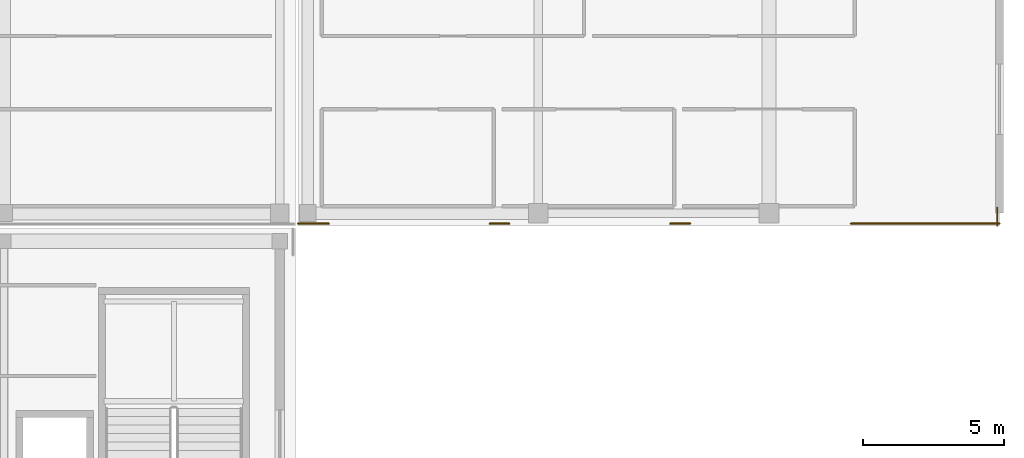
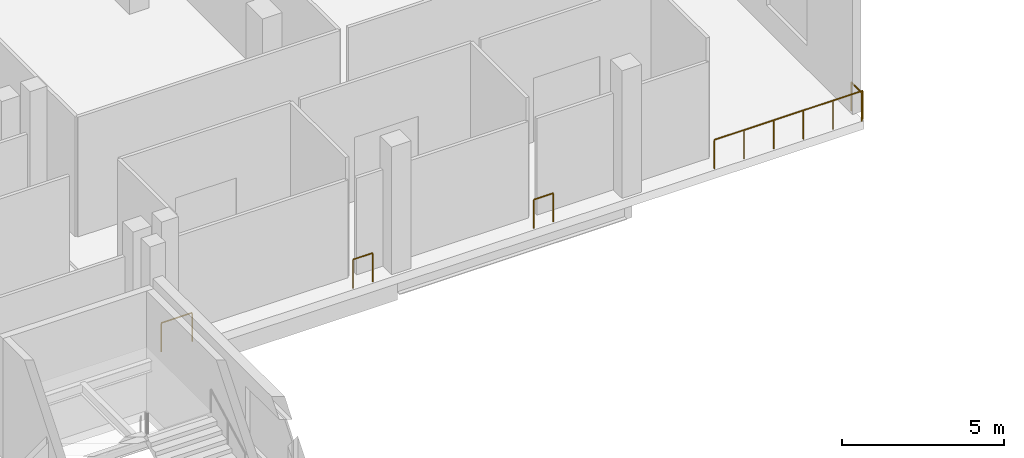
# One storey, part 123 of 129: 5 railings.
"""IFC4 building model written with IfcOpenShell, lengths in metres."""

from ifc_helpers import new_model, si_unit, direction, frame, origin, origin_2d, place, context, subcontext, project, spatial, circle, extrude, material, type_object, element, save


model = new_model("IFC4")

# Units and contexts
model_context = context("Model", 3, precision=1e-05, world=origin(), true_north=direction((0.0, 1.0)))
body_context = subcontext(model_context, "Body", "Model", "MODEL_VIEW")
ifc_project = project(units=[si_unit("LENGTHUNIT", "METRE"), si_unit("AREAUNIT", "SQUARE_METRE"), si_unit("VOLUMEUNIT", "CUBIC_METRE"), si_unit("PLANEANGLEUNIT", "RADIAN"), si_unit("MASSUNIT", "GRAM", prefix="KILO")], contexts=[model_context])

# Site, building, storey
site_placement = place(None, origin())
site = spatial("IfcSite", under=ifc_project, at=site_placement, CompositionType="ELEMENT")
building_placement = place(site_placement, origin())
building = spatial("IfcBuilding", under=site, at=building_placement, Name="Koshinbarg Plaza Stadium", CompositionType="ELEMENT")
storey_placement = place(building_placement, frame((0.0, 0.0, 5.39990234375)))
storey = spatial("IfcBuildingStorey", under=building, at=storey_placement, Name="L01", CompositionType="ELEMENT", Elevation=5.39990234375)

# Railings
ifc_material = material(Name="Toughened laminated glass and stainless steel sightline balustrade", Category="steel")
railing_type = type_object("IfcRailingType", Name="RL-BOWL-1100", PredefinedType="BALUSTRADE", material=ifc_material)
railing_1_placement = place(storey_placement, frame((243.919921875, 127.693115234375, 0.0)))
element("IfcRailing", 1, at=railing_1_placement, inside=storey, type_object=railing_type, Name="L01 deck edge safety balustrade 0057", PredefinedType="BALUSTRADE", context=body_context, shape_type="SweptSolid", body=[
    extrude(circle(Radius=0.02392578125, at=origin_2d()), frame((0.0, 0.0, 1.076171875), z_axis=(0.0, -1.0, 0.0), x_axis=(1.0, 0.0, 0.0)), (0.0, 0.0, 1.0), 0.648193359375),
    extrude(circle(Radius=0.02099609375, at=origin_2d()), origin(), (0.0, 0.0, 1.0), 1.052001953125),
    extrude(circle(Radius=0.02099609375, at=origin_2d()), frame((0.0, -0.648193359375, 0.0)), (0.0, 0.0, 1.0), 1.052001953125),
])
railing_2_placement = place(storey_placement, frame((244.0, 127.125, 0.0)))
element("IfcRailing", 2, at=railing_2_placement, inside=storey, type_object=railing_type, Name="L01 deck edge safety balustrade 0058", PredefinedType="BALUSTRADE", context=body_context, shape_type="SweptSolid", body=[
    extrude(circle(Radius=0.02392578125, at=origin_2d()), frame((0.0, 0.0, 1.076171875), z_axis=(-1.0, 0.0, 0.0), x_axis=(0.0, -1.0, 0.0)), (0.0, 0.0, 1.0), 5.28076171875),
    extrude(circle(Radius=0.02099609375, at=origin_2d()), origin(), (0.0, 0.0, 1.0), 1.052001953125),
    extrude(circle(Radius=0.02099609375, at=origin_2d()), frame((-1.05615234375, 0.0, 0.0)), (0.0, 0.0, 1.0), 1.052001953125),
    extrude(circle(Radius=0.02099609375, at=origin_2d()), frame((-2.1123046875, 0.0, 0.0)), (0.0, 0.0, 1.0), 1.052001953125),
    extrude(circle(Radius=0.02099609375, at=origin_2d()), frame((-3.16845703125, 0.0, 0.0)), (0.0, 0.0, 1.0), 1.052001953125),
    extrude(circle(Radius=0.02099609375, at=origin_2d()), frame((-4.224609375, 0.0, 0.0)), (0.0, 0.0, 1.0), 1.052001953125),
    extrude(circle(Radius=0.02099609375, at=origin_2d()), frame((-5.28076171875, 0.0, 0.0)), (0.0, 0.0, 1.0), 1.052001953125),
])
railing_3_placement = place(storey_placement, frame((232.99267578125, 127.125, 0.0)))
element("IfcRailing", 3, at=railing_3_placement, inside=storey, type_object=railing_type, Name="L01 deck edge safety balustrade 0059", PredefinedType="BALUSTRADE", context=body_context, shape_type="SweptSolid", body=[
    extrude(circle(Radius=0.02392578125, at=origin_2d()), frame((0.0, 0.0, 1.076171875), z_axis=(-1.0, 0.0, 0.0), x_axis=(0.0, -1.0, 0.0)), (0.0, 0.0, 1.0), 0.698974609375),
    extrude(circle(Radius=0.02099609375, at=origin_2d()), origin(), (0.0, 0.0, 1.0), 1.052001953125),
    extrude(circle(Radius=0.02099609375, at=origin_2d()), frame((-0.698974609375, 0.0, 0.0)), (0.0, 0.0, 1.0), 1.052001953125),
])
railing_4_placement = place(storey_placement, frame((226.567138671875, 127.125, 0.0)))
element("IfcRailing", 4, at=railing_4_placement, inside=storey, type_object=railing_type, Name="L01 deck edge safety balustrade 0060", PredefinedType="BALUSTRADE", context=body_context, shape_type="SweptSolid", body=[
    extrude(circle(Radius=0.02392578125, at=origin_2d()), frame((0.0, 0.0, 1.076171875), z_axis=(-1.0, 0.0, 0.0), x_axis=(0.0, -1.0, 0.0)), (0.0, 0.0, 1.0), 0.69873046875),
    extrude(circle(Radius=0.02099609375, at=origin_2d()), origin(), (0.0, 0.0, 1.0), 1.052001953125),
    extrude(circle(Radius=0.02099609375, at=origin_2d()), frame((-0.69873046875, 0.0, 0.0)), (0.0, 0.0, 1.0), 1.052001953125),
])
railing_5_placement = place(storey_placement, frame((220.1416015625, 127.125, 0.0)))
element("IfcRailing", 5, at=railing_5_placement, inside=storey, type_object=railing_type, Name="L01 deck edge safety balustrade 0061", PredefinedType="BALUSTRADE", context=body_context, shape_type="SweptSolid", body=[
    extrude(circle(Radius=0.02392578125, at=origin_2d()), frame((0.0, 0.0, 1.076171875), z_axis=(-1.0, 0.0, 0.0), x_axis=(0.0, -1.0, 0.0)), (0.0, 0.0, 1.0), 1.0966796875),
    extrude(circle(Radius=0.02099609375, at=origin_2d()), origin(), (0.0, 0.0, 1.0), 1.052001953125),
    extrude(circle(Radius=0.02099609375, at=origin_2d()), frame((-1.0966796875, 0.0, 0.0)), (0.0, 0.0, 1.0), 1.052001953125),
])

save(model, "model.ifc")
